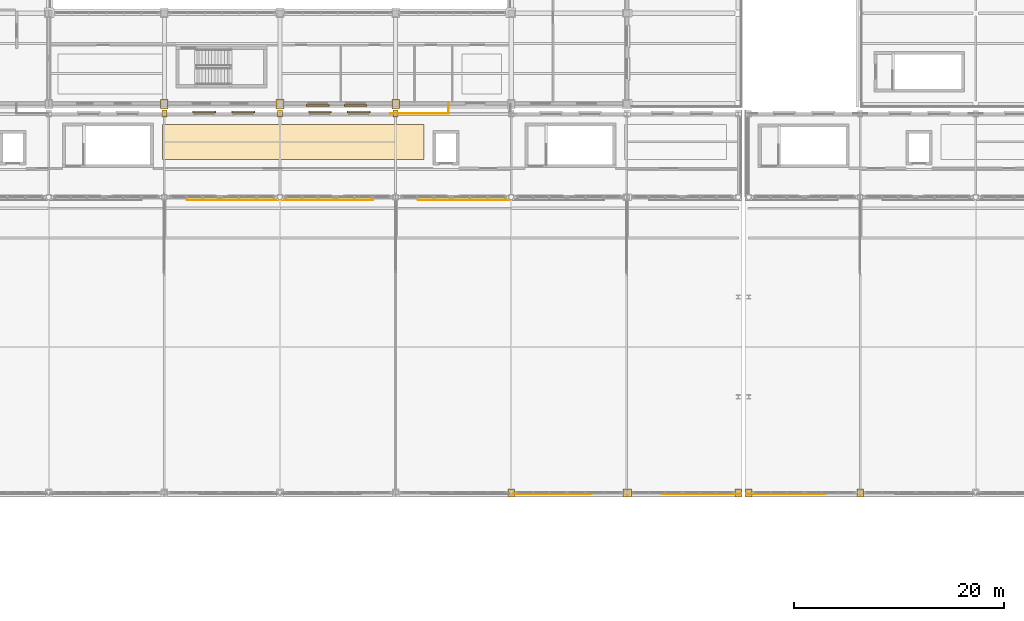
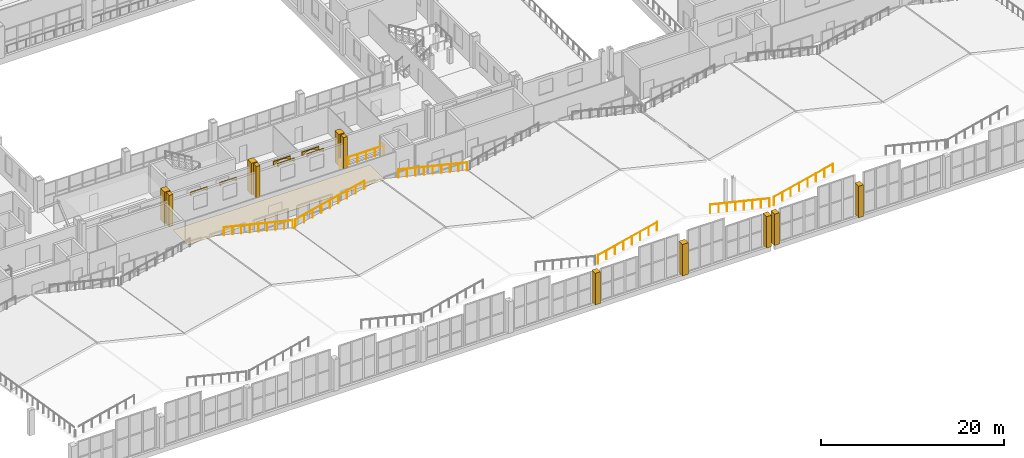
# One storey, part 106 of 120: 18 coverings, 8 railings.
"""IFC4 building model written with IfcOpenShell, lengths in metres."""

from ifc_helpers import new_model, si_unit, direction, frame, origin, origin_2d, place, context, subcontext, project, spatial, polyline, rectangle, circle, outline, extrude, material, layer, layer_set, type_object, element, save


model = new_model("IFC4")

# Units and contexts
model_context = context("Model", 3, precision=1e-05, world=origin(), true_north=direction((0.0, 1.0)))
body_context = subcontext(model_context, "Body", "Model", "MODEL_VIEW")
ifc_project = project(units=[si_unit("LENGTHUNIT", "METRE"), si_unit("AREAUNIT", "SQUARE_METRE"), si_unit("VOLUMEUNIT", "CUBIC_METRE"), si_unit("PLANEANGLEUNIT", "RADIAN"), si_unit("MASSUNIT", "GRAM", prefix="KILO")], contexts=[model_context])

# Site, building, storey
site_placement = place(None, origin())
site = spatial("IfcSite", under=ifc_project, at=site_placement, CompositionType="ELEMENT")
building_placement = place(site_placement, origin())
building = spatial("IfcBuilding", under=site, at=building_placement, Name="Caurita Quay Ferry Terminal", CompositionType="ELEMENT")
storey_placement = place(building_placement, frame((0.0, 0.0, 9.89990234375)))
storey = spatial("IfcBuildingStorey", under=building, at=storey_placement, Name="L02", CompositionType="ELEMENT", Elevation=9.89990234375)

# Coverings
ifc_material_1 = material(Name="Polished marine terrazzo tile", Category="finish")
ifc_layer_1 = layer(ifc_material_1, 0.02490234375, Name="Polished marine terrazzo floor finish 25 mm")
ifc_layer_set_1 = layer_set([ifc_layer_1], Name="Polished marine terrazzo tile")
covering_type_1 = type_object("IfcCoveringType", Name="COV-FLR-025", PredefinedType="FLOORING", material=ifc_layer_set_1)
covering_1_placement = place(storey_placement, origin())
element("IfcCovering", 1, at=covering_1_placement, inside=storey, type_object=covering_type_1, Name="Priority Business Passenger Waiting Lounge Terrazzo Flooring", PredefinedType="FLOORING", context=body_context, shape_type="SweptSolid", body=[
    extrude(outline(polyline([(32.800048828125, 66.300048828125), (57.699951171875, 66.300048828125), (57.699951171875, 69.60009765625), (32.800048828125, 69.60009765625), (32.800048828125, 66.300048828125)])), origin(), (0.0, 0.0, 1.0), 0.025146484375),
])
ifc_material_2 = material(Name="Warm-white lime stucco masonry", Category="masonry")
ifc_layer_2 = layer(ifc_material_2, 0.179931640625, Name="Classical engaged lime-stucco facade pilaster cladding 180 mm")
ifc_layer_set_2 = layer_set([ifc_layer_2], Name="Warm-white lime stucco masonry")
covering_type_2 = type_object("IfcCoveringType", Name="COV-PIL-CLD", PredefinedType="CLADDING", material=ifc_layer_set_2)
for number, where, z_axis, x_axis, name in (
    (2, (33.0, 70.64990234375, 0.0), (0.0, 0.0, 1.0), (1.0, 0.0, 0.0), "L02 Classical Engaged Pilaster 0039"),
    (3, (44.0, 70.64990234375, 0.0), (0.0, 0.0, 1.0), (1.0, 0.0, 0.0), "L02 Classical Engaged Pilaster 0046"),
    (4, (55.0, 70.64990234375, 0.0), (0.0, 0.0, 1.0), (1.0, 0.0, 0.0), "L02 Classical Engaged Pilaster 0053"),
):
    element("IfcCovering", number, at=place(storey_placement, frame(where, z_axis=z_axis, x_axis=x_axis)), inside=storey, type_object=covering_type_2, Name=name, PredefinedType="CLADDING", context=body_context, shape_type="SweptSolid", body=[
        extrude(rectangle(XDim=0.49072265625, YDim=0.643310546875, at=origin_2d()), origin(), (0.0, 0.0, 1.0), 4.199951171875),
    ])
covering_2_placement = place(storey_placement, frame((66.0, 34.550048828125, 0.0), z_axis=(0.0, 0.0, 1.0), x_axis=(1.0, 0.0, 0.0)))
element("IfcCovering", 5, at=covering_2_placement, inside=storey, type_object=covering_type_2, Name="L02 Classical Engaged Pilaster 0056", PredefinedType="CLADDING", context=body_context, shape_type="SweptSolid", body=[
    extrude(rectangle(XDim=0.6279296875, YDim=0.7880859375, at=origin_2d()), origin(), (0.0, 0.0, 1.0), 4.199951171875),
])
covering_3_placement = place(storey_placement, frame((77.050048828125, 34.550048828125, 0.0), z_axis=(0.0, 0.0, 1.0), x_axis=(1.0, 0.0, 0.0)))
element("IfcCovering", 6, at=covering_3_placement, inside=storey, type_object=covering_type_2, Name="L02 Classical Engaged Pilaster 0063", PredefinedType="CLADDING", context=body_context, shape_type="SweptSolid", body=[
    extrude(rectangle(XDim=0.7880859375, YDim=0.7880859375, at=origin_2d()), origin(), (0.0, 0.0, 1.0), 4.199951171875),
])
for number, where, z_axis, x_axis, name in (
    (7, (87.60009765625, 34.550048828125, 0.0), (0.0, 0.0, 1.0), (1.0, 0.0, 0.0), "L02 Classical Engaged Pilaster 0071"),
    (8, (88.60009765625, 34.550048828125, 0.0), (0.0, 0.0, 1.0), (1.0, 0.0, 0.0), "L02 Classical Engaged Pilaster 0084"),
    (9, (99.199951171875, 34.550048828125, 0.0), (0.0, 0.0, 1.0), (1.0, 0.0, 0.0), "L02 Classical Engaged Pilaster 0091"),
):
    element("IfcCovering", number, at=place(storey_placement, frame(where, z_axis=z_axis, x_axis=x_axis)), inside=storey, type_object=covering_type_2, Name=name, PredefinedType="CLADDING", context=body_context, shape_type="SweptSolid", body=[
        extrude(rectangle(XDim=0.6279296875, YDim=0.7880859375, at=origin_2d()), origin(), (0.0, 0.0, 1.0), 4.199951171875),
    ])
for number, where, z_axis, x_axis, name in (
    (10, (33.0, 71.550048828125, 0.0), (0.0, 0.0, 1.0), (1.0, 0.0, 0.0), "L02 Classical Engaged Pilaster 0330"),
    (11, (44.0, 71.550048828125, 0.0), (0.0, 0.0, 1.0), (1.0, 0.0, 0.0), "L02 Classical Engaged Pilaster 0344"),
    (12, (55.0, 71.550048828125, 0.0), (0.0, 0.0, 1.0), (1.0, 0.0, 0.0), "L02 Classical Engaged Pilaster 0358"),
):
    element("IfcCovering", number, at=place(storey_placement, frame(where, z_axis=z_axis, x_axis=x_axis)), inside=storey, type_object=covering_type_2, Name=name, PredefinedType="CLADDING", context=body_context, shape_type="SweptSolid", body=[
        extrude(rectangle(XDim=0.719970703125, YDim=0.8798828125, at=origin_2d()), origin(), (0.0, 0.0, 1.0), 4.199951171875),
    ])
ifc_material_3 = material(Name="Coral stone ashlar cladding", Category="masonry")
ifc_layer_3 = layer(ifc_material_3, 0.139892578125, Name="Spanish Colonial semicircular arched window surround 140 mm")
ifc_layer_set_3 = layer_set([ifc_layer_3], Name="Coral stone ashlar cladding")
covering_type_3 = type_object("IfcCoveringType", Name="COV-WHD-MLD", PredefinedType="MOLDING", material=ifc_layer_set_3)
for number, where, z_axis, x_axis, name in (
    (13, (46.52001953125, 71.39990234375, 2.72998046875), (0.0, 0.0, 1.0), (1.0, 0.0, 0.0), "L02 Arched Window Surround 068"),
    (14, (50.1201171875, 71.39990234375, 2.72998046875), (0.0, 0.0, 1.0), (1.0, 0.0, 0.0), "L02 Arched Window Surround 069"),
):
    element("IfcCovering", number, at=place(storey_placement, frame(where, z_axis=z_axis, x_axis=x_axis)), inside=storey, type_object=covering_type_3, Name=name, PredefinedType="MOLDING", context=body_context, shape_type="SweptSolid", body=[
        extrude(outline(polyline([(0.0, 0.0), (0.159912109375, 0.0), (0.159912109375, 0.0400390625), (0.205078125, 0.1728515625), (0.335693359375, 0.292724609375), (0.539306640625, 0.387939453125), (0.795654296875, 0.448974609375), (1.080078125, 0.469970703125), (1.3642578125, 0.448974609375), (1.62060546875, 0.387939453125), (1.82421875, 0.292724609375), (1.954833984375, 0.1728515625), (2.0, 0.0400390625), (2.0, 0.0), (2.159912109375, 0.0), (2.159912109375, 0.550048828125), (0.0, 0.550048828125), (0.0, 0.0)])), frame((0.0, 0.06982421875, 0.0), z_axis=(0.0, -1.0, 0.0), x_axis=(1.0, 0.0, 0.0)), (0.0, 0.0, 1.0), 0.139892578125),
    ])
covering_4_placement = place(storey_placement, frame((41.580078125, 70.81494140625, 2.830078125), z_axis=(0.0, 0.0, 1.0), x_axis=(-1.0, 0.0, 0.0)))
element("IfcCovering", 15, at=covering_4_placement, inside=storey, type_object=covering_type_3, Name="L02 Arched Window Surround 165", PredefinedType="MOLDING", context=body_context, shape_type="SweptSolid", body=[
    extrude(outline(polyline([(0.0, 0.0), (0.159912109375, 0.0), (0.159912109375, 0.0400390625), (0.205078125, 0.142578125), (0.335693359375, 0.235107421875), (0.539306640625, 0.30859375), (0.795654296875, 0.355712890625), (1.080078125, 0.3720703125), (1.364501953125, 0.355712890625), (1.620849609375, 0.30859375), (1.824462890625, 0.235107421875), (1.955078125, 0.142578125), (2.000244140625, 0.0400390625), (2.000244140625, 0.0), (2.16015625, 0.0), (2.16015625, 0.451904296875), (0.0, 0.451904296875), (0.0, 0.0)])), frame((0.0, 0.06982421875, 0.0), z_axis=(0.0, -1.0, 0.0), x_axis=(1.0, 0.0, 0.0)), (0.0, 0.0, 1.0), 0.139892578125),
])
covering_5_placement = place(storey_placement, frame((37.8798828125, 70.81494140625, 2.830078125), z_axis=(0.0, 0.0, 1.0), x_axis=(-1.0, 0.0, 0.0)))
element("IfcCovering", 16, at=covering_5_placement, inside=storey, type_object=covering_type_3, Name="L02 Arched Window Surround 166", PredefinedType="MOLDING", context=body_context, shape_type="SweptSolid", body=[
    extrude(outline(polyline([(0.0, 0.0), (0.159912109375, 0.0), (0.159912109375, 0.0400390625), (0.205078125, 0.142578125), (0.335693359375, 0.235107421875), (0.539306640625, 0.30859375), (0.795654296875, 0.355712890625), (1.080078125, 0.3720703125), (1.3642578125, 0.355712890625), (1.62060546875, 0.30859375), (1.82421875, 0.235107421875), (1.954833984375, 0.142578125), (2.0, 0.0400390625), (2.0, 0.0), (2.159912109375, 0.0), (2.159912109375, 0.451904296875), (0.0, 0.451904296875), (0.0, 0.0)])), frame((0.0, 0.06982421875, 0.0), z_axis=(0.0, -1.0, 0.0), x_axis=(1.0, 0.0, 0.0)), (0.0, 0.0, 1.0), 0.139892578125),
])
covering_6_placement = place(storey_placement, frame((52.580078125, 70.81494140625, 2.830078125), z_axis=(0.0, 0.0, 1.0), x_axis=(-1.0, 0.0, 0.0)))
element("IfcCovering", 17, at=covering_6_placement, inside=storey, type_object=covering_type_3, Name="L02 Arched Window Surround 167", PredefinedType="MOLDING", context=body_context, shape_type="SweptSolid", body=[
    extrude(outline(polyline([(0.0, 0.0), (0.159912109375, 0.0), (0.159912109375, 0.0400390625), (0.205078125, 0.142578125), (0.335693359375, 0.235107421875), (0.539306640625, 0.30859375), (0.795654296875, 0.355712890625), (1.080078125, 0.3720703125), (1.364501953125, 0.355712890625), (1.620849609375, 0.30859375), (1.824462890625, 0.235107421875), (1.955078125, 0.142578125), (2.000244140625, 0.0400390625), (2.000244140625, 0.0), (2.16015625, 0.0), (2.16015625, 0.451904296875), (0.0, 0.451904296875), (0.0, 0.0)])), frame((0.0, 0.06982421875, 0.0), z_axis=(0.0, -1.0, 0.0), x_axis=(1.0, 0.0, 0.0)), (0.0, 0.0, 1.0), 0.139892578125),
])
covering_7_placement = place(storey_placement, frame((48.8798828125, 70.81494140625, 2.830078125), z_axis=(0.0, 0.0, 1.0), x_axis=(-1.0, 0.0, 0.0)))
element("IfcCovering", 18, at=covering_7_placement, inside=storey, type_object=covering_type_3, Name="L02 Arched Window Surround 168", PredefinedType="MOLDING", context=body_context, shape_type="SweptSolid", body=[
    extrude(outline(polyline([(0.0, 0.0), (0.159912109375, 0.0), (0.159912109375, 0.0400390625), (0.205078125, 0.142578125), (0.335693359375, 0.235107421875), (0.539306640625, 0.30859375), (0.795654296875, 0.355712890625), (1.080078125, 0.3720703125), (1.3642578125, 0.355712890625), (1.62060546875, 0.30859375), (1.82421875, 0.235107421875), (1.954833984375, 0.142578125), (2.0, 0.0400390625), (2.0, 0.0), (2.159912109375, 0.0), (2.159912109375, 0.451904296875), (0.0, 0.451904296875), (0.0, 0.0)])), frame((0.0, 0.06982421875, 0.0), z_axis=(0.0, -1.0, 0.0), x_axis=(1.0, 0.0, 0.0)), (0.0, 0.0, 1.0), 0.139892578125),
])

# Railings
ifc_material_4 = material(Name="Bronze architectural metalwork", Category="metal")
railing_type = type_object("IfcRailingType", Name="RL-REJA-115", PredefinedType="BALUSTRADE", material=ifc_material_4)
railing_1_placement = place(storey_placement, frame((54.5, 70.64990234375, 0.0)))
element("IfcRailing", 19, at=railing_1_placement, inside=storey, type_object=railing_type, Name="L02 North East Link Bridge West Guard (053)", PredefinedType="BALUSTRADE", context=body_context, shape_type="SweptSolid", body=[
    extrude(circle(Radius=0.02392578125, at=origin_2d()), frame((0.0, 0.0, 1.1259765625), z_axis=(1.0, 0.0, 0.0), x_axis=(0.0, 1.0, 0.0)), (0.0, 0.0, 1.0), 5.550048828125),
    extrude(circle(Radius=0.02099609375, at=origin_2d()), origin(), (0.0, 0.0, 1.0), 1.101806640625),
    extrude(circle(Radius=0.02099609375, at=origin_2d()), frame((1.110107421875, 0.0, 0.0)), (0.0, 0.0, 1.0), 1.101806640625),
    extrude(circle(Radius=0.02099609375, at=origin_2d()), frame((2.219970703125, 0.0, 0.0)), (0.0, 0.0, 1.0), 1.101806640625),
    extrude(circle(Radius=0.02099609375, at=origin_2d()), frame((3.330078125, 0.0, 0.0)), (0.0, 0.0, 1.0), 1.101806640625),
    extrude(circle(Radius=0.02099609375, at=origin_2d()), frame((4.43994140625, 0.0, 0.0)), (0.0, 0.0, 1.0), 1.101806640625),
    extrude(circle(Radius=0.02099609375, at=origin_2d()), frame((5.550048828125, 0.0, 0.0)), (0.0, 0.0, 1.0), 1.101806640625),
])
railing_2_placement = place(storey_placement, frame((60.050048828125, 70.64990234375, 0.0)))
element("IfcRailing", 20, at=railing_2_placement, inside=storey, type_object=railing_type, Name="L02 North East Link Bridge West Guard (054)", PredefinedType="BALUSTRADE", context=body_context, shape_type="SweptSolid", body=[
    extrude(circle(Radius=0.02392578125, at=origin_2d()), frame((0.0, 0.0, 1.1259765625), z_axis=(0.0, 1.0, 0.0), x_axis=(-1.0, 0.0, 0.0)), (0.0, 0.0, 1.0), 0.900146484375),
    extrude(circle(Radius=0.02099609375, at=origin_2d()), origin(), (0.0, 0.0, 1.0), 1.101806640625),
    extrude(circle(Radius=0.02099609375, at=origin_2d()), frame((0.0, 0.900146484375, 0.0)), (0.0, 0.0, 1.0), 1.101806640625),
])
railing_3_placement = place(storey_placement, frame((35.14990234375, 62.449951171875, 2.76416015625)))
element("IfcRailing", 21, at=railing_3_placement, inside=storey, type_object=railing_type, Name="Folded Roof Bay 2 Landside Promenade Guard LE", PredefinedType="BALUSTRADE", context=body_context, shape_type="SweptSolid", body=[
    extrude(circle(Radius=0.02392578125, at=origin_2d()), frame((0.0, 0.0, 1.1259765625), z_axis=(0.972381833796, 0.0, -0.233395735401), x_axis=(0.0, 1.0, 0.0)), (0.0, 0.0, 1.0), 8.91650390625),
    extrude(circle(Radius=0.02099609375, at=origin_2d()), origin(), (0.0, 0.0, 1.0), 1.101806640625),
    extrude(circle(Radius=0.02099609375, at=origin_2d()), frame((1.083740234375, 0.0, -0.26025390625)), (0.0, 0.0, 1.0), 1.101806640625),
    extrude(circle(Radius=0.02099609375, at=origin_2d()), frame((2.16748046875, 0.0, -0.520263671875)), (0.0, 0.0, 1.0), 1.101806640625),
    extrude(circle(Radius=0.02099609375, at=origin_2d()), frame((3.251220703125, 0.0, -0.7802734375)), (0.0, 0.0, 1.0), 1.101806640625),
    extrude(circle(Radius=0.02099609375, at=origin_2d()), frame((4.3349609375, 0.0, -1.04052734375)), (0.0, 0.0, 1.0), 1.101806640625),
    extrude(circle(Radius=0.02099609375, at=origin_2d()), frame((5.4189453125, 0.0, -1.30078125)), (0.0, 0.0, 1.0), 1.101806640625),
    extrude(circle(Radius=0.02099609375, at=origin_2d()), frame((6.502685546875, 0.0, -1.560791015625)), (0.0, 0.0, 1.0), 1.101806640625),
    extrude(circle(Radius=0.02099609375, at=origin_2d()), frame((7.58642578125, 0.0, -1.82080078125)), (0.0, 0.0, 1.0), 1.101806640625),
    extrude(circle(Radius=0.02099609375, at=origin_2d()), frame((8.670166015625, 0.0, -2.0810546875)), (0.0, 0.0, 1.0), 1.101806640625),
])
railing_4_placement = place(storey_placement, frame((44.179931640625, 62.449951171875, 0.68310546875)))
element("IfcRailing", 22, at=railing_4_placement, inside=storey, type_object=railing_type, Name="Folded Roof Bay 3 Landside Promenade Guard LW", PredefinedType="BALUSTRADE", context=body_context, shape_type="SweptSolid", body=[
    extrude(circle(Radius=0.02392578125, at=origin_2d()), frame((0.0, 0.0, 1.1259765625), z_axis=(0.972381833796, 0.0, 0.233395735401), x_axis=(0.0, 1.0, 0.0)), (0.0, 0.0, 1.0), 8.91650390625),
    extrude(circle(Radius=0.02099609375, at=origin_2d()), origin(), (0.0, 0.0, 1.0), 1.101806640625),
    extrude(circle(Radius=0.02099609375, at=origin_2d()), frame((1.083740234375, 0.0, 0.26025390625)), (0.0, 0.0, 1.0), 1.101806640625),
    extrude(circle(Radius=0.02099609375, at=origin_2d()), frame((2.16748046875, 0.0, 0.520263671875)), (0.0, 0.0, 1.0), 1.101806640625),
    extrude(circle(Radius=0.02099609375, at=origin_2d()), frame((3.251220703125, 0.0, 0.7802734375)), (0.0, 0.0, 1.0), 1.101806640625),
    extrude(circle(Radius=0.02099609375, at=origin_2d()), frame((4.3349609375, 0.0, 1.04052734375)), (0.0, 0.0, 1.0), 1.101806640625),
    extrude(circle(Radius=0.02099609375, at=origin_2d()), frame((5.4189453125, 0.0, 1.30078125)), (0.0, 0.0, 1.0), 1.101806640625),
    extrude(circle(Radius=0.02099609375, at=origin_2d()), frame((6.502685546875, 0.0, 1.560791015625)), (0.0, 0.0, 1.0), 1.101806640625),
    extrude(circle(Radius=0.02099609375, at=origin_2d()), frame((7.58642578125, 0.0, 1.82080078125)), (0.0, 0.0, 1.0), 1.101806640625),
    extrude(circle(Radius=0.02099609375, at=origin_2d()), frame((8.670166015625, 0.0, 2.0810546875)), (0.0, 0.0, 1.0), 1.101806640625),
])
railing_5_placement = place(storey_placement, frame((57.14990234375, 62.449951171875, 2.76416015625)))
element("IfcRailing", 23, at=railing_5_placement, inside=storey, type_object=railing_type, Name="Folded Roof Bay 3 Landside Promenade Guard LE", PredefinedType="BALUSTRADE", context=body_context, shape_type="SweptSolid", body=[
    extrude(circle(Radius=0.02392578125, at=origin_2d()), frame((0.0, 0.0, 1.1259765625), z_axis=(0.972381833796, 0.0, -0.233395735401), x_axis=(0.0, 1.0, 0.0)), (0.0, 0.0, 1.0), 8.91650390625),
    extrude(circle(Radius=0.02099609375, at=origin_2d()), origin(), (0.0, 0.0, 1.0), 1.101806640625),
    extrude(circle(Radius=0.02099609375, at=origin_2d()), frame((1.083740234375, 0.0, -0.26025390625)), (0.0, 0.0, 1.0), 1.101806640625),
    extrude(circle(Radius=0.02099609375, at=origin_2d()), frame((2.16748046875, 0.0, -0.520263671875)), (0.0, 0.0, 1.0), 1.101806640625),
    extrude(circle(Radius=0.02099609375, at=origin_2d()), frame((3.251220703125, 0.0, -0.7802734375)), (0.0, 0.0, 1.0), 1.101806640625),
    extrude(circle(Radius=0.02099609375, at=origin_2d()), frame((4.3349609375, 0.0, -1.04052734375)), (0.0, 0.0, 1.0), 1.101806640625),
    extrude(circle(Radius=0.02099609375, at=origin_2d()), frame((5.4189453125, 0.0, -1.30078125)), (0.0, 0.0, 1.0), 1.101806640625),
    extrude(circle(Radius=0.02099609375, at=origin_2d()), frame((6.502685546875, 0.0, -1.560791015625)), (0.0, 0.0, 1.0), 1.101806640625),
    extrude(circle(Radius=0.02099609375, at=origin_2d()), frame((7.58642578125, 0.0, -1.82080078125)), (0.0, 0.0, 1.0), 1.101806640625),
    extrude(circle(Radius=0.02099609375, at=origin_2d()), frame((8.670166015625, 0.0, -2.0810546875)), (0.0, 0.0, 1.0), 1.101806640625),
])
railing_6_placement = place(storey_placement, frame((66.179931640625, 34.449951171875, 5.1630859375)))
element("IfcRailing", 24, at=railing_6_placement, inside=storey, type_object=railing_type, Name="Folded Roof Bay 4 Waterside Eave Guard W", PredefinedType="BALUSTRADE", context=body_context, shape_type="SweptSolid", body=[
    extrude(circle(Radius=0.02392578125, at=origin_2d()), frame((0.0, 0.0, 1.1259765625), z_axis=(0.972382109193, 0.0, 0.233394588029), x_axis=(0.0, 1.0, 0.0)), (0.0, 0.0, 1.0), 7.68212890625),
    extrude(circle(Radius=0.02099609375, at=origin_2d()), origin(), (0.0, 0.0, 1.0), 1.101806640625),
    extrude(circle(Radius=0.02099609375, at=origin_2d()), frame((1.067138671875, 0.0, 0.256103515625)), (0.0, 0.0, 1.0), 1.101806640625),
    extrude(circle(Radius=0.02099609375, at=origin_2d()), frame((2.13427734375, 0.0, 0.51220703125)), (0.0, 0.0, 1.0), 1.101806640625),
    extrude(circle(Radius=0.02099609375, at=origin_2d()), frame((3.201416015625, 0.0, 0.768310546875)), (0.0, 0.0, 1.0), 1.101806640625),
    extrude(circle(Radius=0.02099609375, at=origin_2d()), frame((4.2685546875, 0.0, 1.024658203125)), (0.0, 0.0, 1.0), 1.101806640625),
    extrude(circle(Radius=0.02099609375, at=origin_2d()), frame((5.335693359375, 0.0, 1.28076171875)), (0.0, 0.0, 1.0), 1.101806640625),
    extrude(circle(Radius=0.02099609375, at=origin_2d()), frame((6.40283203125, 0.0, 1.536865234375)), (0.0, 0.0, 1.0), 1.101806640625),
    extrude(circle(Radius=0.02099609375, at=origin_2d()), frame((7.469970703125, 0.0, 1.79296875)), (0.0, 0.0, 1.0), 1.101806640625),
])
railing_7_placement = place(storey_placement, frame((80.35009765625, 34.449951171875, 6.9560546875)))
element("IfcRailing", 25, at=railing_7_placement, inside=storey, type_object=railing_type, Name="Folded Roof Bay 4 Waterside Eave Guard E", PredefinedType="BALUSTRADE", context=body_context, shape_type="SweptSolid", body=[
    extrude(circle(Radius=0.02392578125, at=origin_2d()), frame((0.0, 0.0, 1.1259765625), z_axis=(0.972382109193, 0.0, -0.233394588029), x_axis=(0.0, 1.0, 0.0)), (0.0, 0.0, 1.0), 7.68212890625),
    extrude(circle(Radius=0.02099609375, at=origin_2d()), origin(), (0.0, 0.0, 1.0), 1.101806640625),
    extrude(circle(Radius=0.02099609375, at=origin_2d()), frame((1.067138671875, 0.0, -0.256103515625)), (0.0, 0.0, 1.0), 1.101806640625),
    extrude(circle(Radius=0.02099609375, at=origin_2d()), frame((2.13427734375, 0.0, -0.51220703125)), (0.0, 0.0, 1.0), 1.101806640625),
    extrude(circle(Radius=0.02099609375, at=origin_2d()), frame((3.201416015625, 0.0, -0.768310546875)), (0.0, 0.0, 1.0), 1.101806640625),
    extrude(circle(Radius=0.02099609375, at=origin_2d()), frame((4.2685546875, 0.0, -1.024658203125)), (0.0, 0.0, 1.0), 1.101806640625),
    extrude(circle(Radius=0.02099609375, at=origin_2d()), frame((5.335693359375, 0.0, -1.28076171875)), (0.0, 0.0, 1.0), 1.101806640625),
    extrude(circle(Radius=0.02099609375, at=origin_2d()), frame((6.40283203125, 0.0, -1.536865234375)), (0.0, 0.0, 1.0), 1.101806640625),
    extrude(circle(Radius=0.02099609375, at=origin_2d()), frame((7.469970703125, 0.0, -1.79296875)), (0.0, 0.0, 1.0), 1.101806640625),
])
railing_8_placement = place(storey_placement, frame((88.3798828125, 34.449951171875, 5.1630859375)))
element("IfcRailing", 26, at=railing_8_placement, inside=storey, type_object=railing_type, Name="Folded Roof Bay 5 Waterside Eave Guard W", PredefinedType="BALUSTRADE", context=body_context, shape_type="SweptSolid", body=[
    extrude(circle(Radius=0.02392578125, at=origin_2d()), frame((0.0, 0.0, 1.1259765625), z_axis=(0.972383840283, 0.0, 0.233387375745), x_axis=(0.0, 1.0, 0.0)), (0.0, 0.0, 1.0), 7.682373046875),
    extrude(circle(Radius=0.02099609375, at=origin_2d()), origin(), (0.0, 0.0, 1.0), 1.101806640625),
    extrude(circle(Radius=0.02099609375, at=origin_2d()), frame((1.067138671875, 0.0, 0.256103515625)), (0.0, 0.0, 1.0), 1.101806640625),
    extrude(circle(Radius=0.02099609375, at=origin_2d()), frame((2.13427734375, 0.0, 0.51220703125)), (0.0, 0.0, 1.0), 1.101806640625),
    extrude(circle(Radius=0.02099609375, at=origin_2d()), frame((3.201416015625, 0.0, 0.768310546875)), (0.0, 0.0, 1.0), 1.101806640625),
    extrude(circle(Radius=0.02099609375, at=origin_2d()), frame((4.268798828125, 0.0, 1.024658203125)), (0.0, 0.0, 1.0), 1.101806640625),
    extrude(circle(Radius=0.02099609375, at=origin_2d()), frame((5.3359375, 0.0, 1.28076171875)), (0.0, 0.0, 1.0), 1.101806640625),
    extrude(circle(Radius=0.02099609375, at=origin_2d()), frame((6.403076171875, 0.0, 1.536865234375)), (0.0, 0.0, 1.0), 1.101806640625),
    extrude(circle(Radius=0.02099609375, at=origin_2d()), frame((7.47021484375, 0.0, 1.79296875)), (0.0, 0.0, 1.0), 1.101806640625),
])

save(model, "model.ifc")
